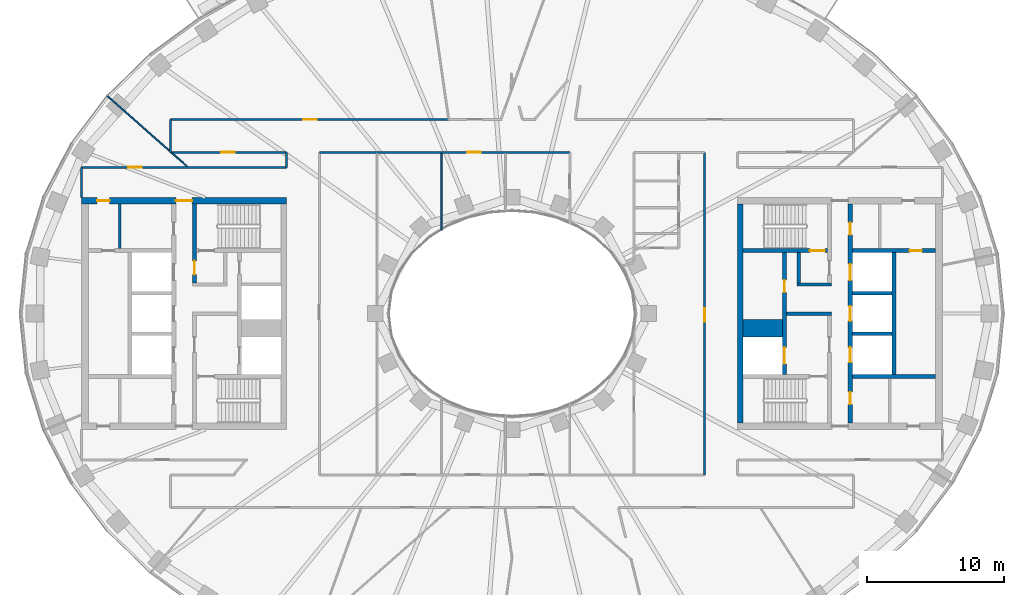
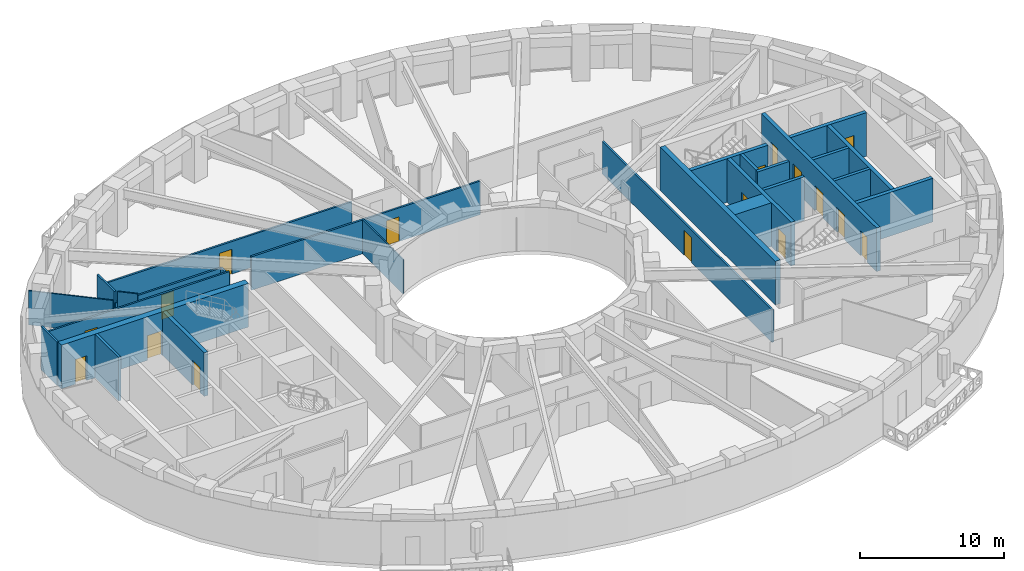
# One storey, part 5 of 15: 27 walls, 17 doors, 17 openings.
"""IFC4 building model written with IfcOpenShell, lengths in metres."""

from ifc_helpers import new_model, si_unit, direction, frame, frame_2d, origin, place, context, subcontext, project, spatial, rectangle, extrude, material, layer, layer_set, type_object, element, fill, save


model = new_model("IFC4")

# Units and contexts
model_context = context("Model", 3, precision=1e-05, world=origin(), true_north=direction((0.0, 1.0)))
body_context = subcontext(model_context, "Body", "Model", "MODEL_VIEW")
ifc_project = project(units=[si_unit("LENGTHUNIT", "METRE"), si_unit("AREAUNIT", "SQUARE_METRE"), si_unit("VOLUMEUNIT", "CUBIC_METRE"), si_unit("PLANEANGLEUNIT", "RADIAN"), si_unit("MASSUNIT", "GRAM", prefix="KILO")], contexts=[model_context])

# Site, building, storey
site_placement = place(None, origin())
site = spatial("IfcSite", under=ifc_project, at=site_placement, CompositionType="ELEMENT")
building_placement = place(site_placement, origin())
building = spatial("IfcBuilding", under=site, at=building_placement, Name="Noorbagh Ring Tower", CompositionType="ELEMENT")
storey_placement = place(building_placement, frame((0.0, 0.0, 128.0)))
storey = spatial("IfcBuildingStorey", under=building, at=storey_placement, Name="L29", CompositionType="ELEMENT", Elevation=128.0)

# Walls
ifc_material_1 = material(Name="Gypsum board on steel studs", Category="steel")
ifc_layer_1 = layer(ifc_material_1, 0.199951171875)
ifc_layer_set_1 = layer_set([ifc_layer_1], Name="Gypsum board on steel studs")
wall_type_1 = type_object("IfcWallType", Name="CORE-PARTITION-200", PredefinedType="PARTITIONING", material=ifc_layer_set_1)
wall_1_placement = place(storey_placement, frame((-28.699951171875, 4.75, 0.0), z_axis=(0.0, 0.0, 1.0), x_axis=(0.0, 1.0, 0.0)))
element("IfcWall", 1, at=wall_1_placement, inside=storey, type_object=wall_type_1, Name="Core partition W", PredefinedType="PARTITIONING", context=body_context, shape_type="SweptSolid", body=[
    extrude(rectangle(XDim=3.25, YDim=0.199951171875, at=frame_2d((1.625, 0.0))), origin(), (0.0, 0.0, 1.0), 3.699951171875),
])
ifc_material_2 = material(Name="Concrete C70/85", Category="concrete")
ifc_layer_2 = layer(ifc_material_2, 1.25)
ifc_layer_set_2 = layer_set([ifc_layer_2], Name="Concrete C70/85")
wall_type_2 = type_object("IfcWallType", Name="CORE-WALL-1250-C70-85-EI120", PredefinedType="SHEAR", material=ifc_layer_set_2)
wall_2_placement = place(storey_placement, frame((16.89990234375, -1.074951171875, 0.0), z_axis=(0.0, 0.0, 1.0), x_axis=(1.0, 0.0, 0.0)))
element("IfcWall", 2, at=wall_2_placement, inside=storey, type_object=wall_type_2, Name="Core wall E", PredefinedType="SHEAR", context=body_context, shape_type="SweptSolid", body=[
    extrude(rectangle(XDim=2.900146484375, YDim=1.25, at=frame_2d((1.4501953125, 0.0))), origin(), (0.0, 0.0, 1.0), 3.699951171875),
])
ifc_material_3 = material(Name="Concrete C70/85", Category="concrete")
ifc_layer_3 = layer(ifc_material_3, 0.25)
ifc_layer_set_3 = layer_set([ifc_layer_3], Name="Concrete C70/85")
wall_type_3 = type_object("IfcWallType", Name="CORE-WALL-250-C70-85-EI120", PredefinedType="SHEAR", material=ifc_layer_set_3)
for number, where, z_axis, x_axis, name in (
    (3, (24.89990234375, -1.47509765625, 0.0), (0.0, 0.0, 1.0), (1.0, 0.0, 0.0), "Core wall E"),
    (4, (24.89990234375, 1.47509765625, 0.0), (0.0, 0.0, 1.0), (1.0, 0.0, 0.0), "Core wall E"),
):
    element("IfcWall", number, at=place(storey_placement, frame(where, z_axis=z_axis, x_axis=x_axis)), inside=storey, type_object=wall_type_3, Name=name, PredefinedType="SHEAR", context=body_context, shape_type="SweptSolid", body=[
        extrude(rectangle(XDim=2.900146484375, YDim=0.25, at=frame_2d((1.4501953125, 0.0))), origin(), (0.0, 0.0, 1.0), 3.699951171875),
    ])
ifc_material_4 = material(Name="Concrete C70/85", Category="concrete")
ifc_layer_4 = layer(ifc_material_4, 0.25)
ifc_layer_set_4 = layer_set([ifc_layer_4], Name="Concrete C70/85")
wall_type_4 = type_object("IfcWallType", Name="CORE-WALL-250-C70-85-EI240", PredefinedType="SHEAR", material=ifc_layer_set_4)
wall_3_placement = place(storey_placement, frame((20.10009765625, 0.0, 0.0), z_axis=(0.0, 0.0, 1.0), x_axis=(1.0, 0.0, 0.0)))
element("IfcWall", 5, at=wall_3_placement, inside=storey, type_object=wall_type_4, Name="Core wall E", PredefinedType="SHEAR", context=body_context, shape_type="SweptSolid", body=[
    extrude(rectangle(XDim=3.27978515625, YDim=0.25, at=frame_2d((1.639892578125, 0.0))), origin(), (0.0, 0.0, 1.0), 3.699951171875),
])
wall_4_placement = place(storey_placement, frame((20.85009765625, 2.125, 0.0), z_axis=(0.0, 0.0, 1.0), x_axis=(1.0, 0.0, 0.0)))
element("IfcWall", 6, at=wall_4_placement, inside=storey, type_object=wall_type_4, Name="Core wall E", PredefinedType="SHEAR", context=body_context, shape_type="SweptSolid", body=[
    extrude(rectangle(XDim=2.52978515625, YDim=0.25, at=frame_2d((1.264892578125, 0.0))), origin(), (0.0, 0.0, 1.0), 3.699951171875),
])
wall_5_placement = place(storey_placement, frame((20.97509765625, 2.25, 0.0), z_axis=(0.0, 0.0, 1.0), x_axis=(0.0, 1.0, 0.0)))
element("IfcWall", 7, at=wall_5_placement, inside=storey, type_object=wall_type_4, Name="Core wall E", PredefinedType="SHEAR", context=body_context, shape_type="SweptSolid", body=[
    extrude(rectangle(XDim=2.199951171875, YDim=0.25, at=frame_2d((1.10009765625, 0.0))), origin(), (0.0, 0.0, 1.0), 3.699951171875),
])
ifc_material_5 = material(Name="Concrete C70/85", Category="concrete")
ifc_layer_5 = layer(ifc_material_5, 0.300048828125)
ifc_layer_set_5 = layer_set([ifc_layer_5], Name="Concrete C70/85")
wall_type_5 = type_object("IfcWallType", Name="CORE-WALL-300-C70-85-EI120", PredefinedType="SHEAR", material=ifc_layer_set_5)
wall_6_placement = place(storey_placement, frame((27.949951171875, -4.449951171875, 0.0), z_axis=(0.0, 0.0, 1.0), x_axis=(0.0, 1.0, 0.0)))
element("IfcWall", 8, at=wall_6_placement, inside=storey, type_object=wall_type_5, Name="Core wall E", PredefinedType="SHEAR", context=body_context, shape_type="SweptSolid", body=[
    extrude(rectangle(XDim=8.89990234375, YDim=0.300048828125, at=frame_2d((4.449951171875, 0.0))), origin(), (0.0, 0.0, 1.0), 3.699951171875),
])

# Wall, openings, doors
wall_7_placement = place(storey_placement, frame((19.949951171875, -4.449951171875, 0.0), z_axis=(0.0, 0.0, 1.0), x_axis=(0.0, 1.0, 0.0)))
wall_7 = element("IfcWall", 9, at=wall_7_placement, inside=storey, type_object=wall_type_5, Name="Core wall E", PredefinedType="SHEAR", context=body_context, shape_type="SweptSolid", body=[
    extrude(rectangle(XDim=8.89990234375, YDim=0.300048828125, at=frame_2d((4.449951171875, 0.0))), origin(), (0.0, 0.0, 1.0), 3.699951171875),
])
opening_1_placement = place(wall_7_placement, frame((0.77490234375, 0.0, 0.0)))
opening_1 = element("IfcOpeningElement", 10, at=opening_1_placement, cuts=wall_7, Name="Opening L29-CE01", PredefinedType="OPENING", context=body_context, shape_type="SweptSolid", body=[
    extrude(rectangle(XDim=1.199951171875, YDim=2.10009765625, at=frame_2d((0.60009765625, 1.050048828125))), frame((0.0, 0.16015625, 0.0), z_axis=(0.0, -1.0, 0.0), x_axis=(1.0, 0.0, 0.0)), (0.0, 0.0, 1.0), 0.320068359375),
])
opening_2_placement = place(wall_7_placement, frame((6.0, 0.0, 0.0)))
opening_2 = element("IfcOpeningElement", 11, at=opening_2_placement, cuts=wall_7, Name="Opening L29-CE11", PredefinedType="OPENING", context=body_context, shape_type="SweptSolid", body=[
    extrude(rectangle(XDim=0.89990234375, YDim=2.10009765625, at=frame_2d((0.449951171875, 1.050048828125))), frame((0.0, 0.16015625, 0.0), z_axis=(0.0, -1.0, 0.0), x_axis=(1.0, 0.0, 0.0)), (0.0, 0.0, 1.0), 0.320068359375),
])
ifc_material_6 = material(Name="Steel door leaf", Category="steel")
door_type_1 = type_object("IfcDoorType", Name="CORE-DOOR-DROOM", OperationType="SINGLE_SWING_LEFT", PredefinedType="DOOR", material=ifc_material_6)
door_1_placement = place(opening_2_placement, origin())
door_1 = element("IfcDoor", 12, at=door_1_placement, inside=storey, type_object=door_type_1, Name="Core room door L29-CE11", OperationType="SINGLE_SWING_RIGHT", OverallHeight=2.10009765625, OverallWidth=0.89990234375, PredefinedType="DOOR", context=body_context, shape_type="SweptSolid", body=[
    extrude(rectangle(XDim=0.89990234375, YDim=2.10009765625, at=frame_2d((0.449951171875, 1.050048828125))), frame((0.0, 0.02490234375, 0.0), z_axis=(0.0, -1.0, 0.0), x_axis=(1.0, 0.0, 0.0)), (0.0, 0.0, 1.0), 0.050048828125),
])
fill(opening_2, door_1)
ifc_material_7 = material(Name="Steel door leaf", Category="steel")
door_type_2 = type_object("IfcDoorType", Name="CORE-DOOR-LDW", OperationType="DOUBLE_DOOR_SLIDING", PredefinedType="DOOR", material=ifc_material_7)
door_2_placement = place(opening_1_placement, origin())
door_2 = element("IfcDoor", 13, at=door_2_placement, inside=storey, type_object=door_type_2, Name="Landing door FF2 L29-CE01", OperationType="DOUBLE_DOOR_SLIDING", OverallHeight=2.10009765625, OverallWidth=1.199951171875, PredefinedType="DOOR", context=body_context, shape_type="SweptSolid", body=[
    extrude(rectangle(XDim=1.199951171875, YDim=2.10009765625, at=frame_2d((0.60009765625, 1.050048828125))), frame((0.0, 0.02490234375, 0.0), z_axis=(0.0, -1.0, 0.0), x_axis=(1.0, 0.0, 0.0)), (0.0, 0.0, 1.0), 0.050048828125),
])
fill(opening_1, door_2)

wall_8_placement = place(storey_placement, frame((24.75, -8.0, 0.0), z_axis=(0.0, 0.0, 1.0), x_axis=(0.0, 1.0, 0.0)))
wall_8 = element("IfcWall", 14, at=wall_8_placement, inside=storey, type_object=wall_type_5, Name="Core wall E", PredefinedType="SHEAR", context=body_context, shape_type="SweptSolid", body=[
    extrude(rectangle(XDim=16.0, YDim=0.300048828125, at=frame_2d((8.0, 0.0))), origin(), (0.0, 0.0, 1.0), 3.699951171875),
])
opening_3_placement = place(wall_8_placement, frame((4.425048828125, 0.0, 0.0)))
opening_3 = element("IfcOpeningElement", 15, at=opening_3_placement, cuts=wall_8, Name="Opening L29-CE02", PredefinedType="OPENING", context=body_context, shape_type="SweptSolid", body=[
    extrude(rectangle(XDim=1.10009765625, YDim=2.10009765625, at=frame_2d((0.550048828125, 1.050048828125))), frame((0.0, 0.16015625, 0.0), z_axis=(0.0, -1.0, 0.0), x_axis=(1.0, 0.0, 0.0)), (0.0, 0.0, 1.0), 0.320068359375),
])
opening_4_placement = place(wall_8_placement, frame((7.449951171875, 0.0, 0.0)))
opening_4 = element("IfcOpeningElement", 16, at=opening_4_placement, cuts=wall_8, Name="Opening L29-CE03", PredefinedType="OPENING", context=body_context, shape_type="SweptSolid", body=[
    extrude(rectangle(XDim=1.10009765625, YDim=2.10009765625, at=frame_2d((0.550048828125, 1.050048828125))), frame((0.0, 0.16015625, 0.0), z_axis=(0.0, -1.0, 0.0), x_axis=(1.0, 0.0, 0.0)), (0.0, 0.0, 1.0), 0.320068359375),
])
opening_5_placement = place(wall_8_placement, frame((10.425048828125, 0.0, 0.0)))
opening_5 = element("IfcOpeningElement", 17, at=opening_5_placement, cuts=wall_8, Name="Opening L29-CE04", PredefinedType="OPENING", context=body_context, shape_type="SweptSolid", body=[
    extrude(rectangle(XDim=1.199951171875, YDim=2.10009765625, at=frame_2d((0.60009765625, 1.050048828125))), frame((0.0, 0.16015625, 0.0), z_axis=(0.0, -1.0, 0.0), x_axis=(1.0, 0.0, 0.0)), (0.0, 0.0, 1.0), 0.320068359375),
])
opening_6_placement = place(wall_8_placement, frame((13.75, 0.0, 0.0)))
opening_6 = element("IfcOpeningElement", 18, at=opening_6_placement, cuts=wall_8, Name="Opening L29-CE12", PredefinedType="OPENING", context=body_context, shape_type="SweptSolid", body=[
    extrude(rectangle(XDim=0.89990234375, YDim=2.10009765625, at=frame_2d((0.449951171875, 1.050048828125))), frame((0.0, 0.16015625, 0.0), z_axis=(0.0, -1.0, 0.0), x_axis=(1.0, 0.0, 0.0)), (0.0, 0.0, 1.0), 0.320068359375),
])
opening_7_placement = place(wall_8_placement, frame((1.35009765625, 0.0, 0.0)))
opening_7 = element("IfcOpeningElement", 19, at=opening_7_placement, cuts=wall_8, Name="Opening L29-CE14", PredefinedType="OPENING", context=body_context, shape_type="SweptSolid", body=[
    extrude(rectangle(XDim=0.89990234375, YDim=2.10009765625, at=frame_2d((0.449951171875, 1.050048828125))), frame((0.0, 0.16015625, 0.0), z_axis=(0.0, -1.0, 0.0), x_axis=(1.0, 0.0, 0.0)), (0.0, 0.0, 1.0), 0.320068359375),
])
door_3_placement = place(opening_6_placement, origin())
door_3 = element("IfcDoor", 20, at=door_3_placement, inside=storey, type_object=door_type_1, Name="Core room door L29-CE12", OperationType="SINGLE_SWING_LEFT", OverallHeight=2.10009765625, OverallWidth=0.89990234375, PredefinedType="DOOR", context=body_context, shape_type="SweptSolid", body=[
    extrude(rectangle(XDim=0.89990234375, YDim=2.10009765625, at=frame_2d((0.449951171875, 1.050048828125))), frame((0.0, 0.02490234375, 0.0), z_axis=(0.0, -1.0, 0.0), x_axis=(1.0, 0.0, 0.0)), (0.0, 0.0, 1.0), 0.050048828125),
])
fill(opening_6, door_3)
door_4_placement = place(opening_7_placement, origin())
door_4 = element("IfcDoor", 21, at=door_4_placement, inside=storey, type_object=door_type_1, Name="Core room door L29-CE14", OperationType="SINGLE_SWING_RIGHT", OverallHeight=2.10009765625, OverallWidth=0.89990234375, PredefinedType="DOOR", context=body_context, shape_type="SweptSolid", body=[
    extrude(rectangle(XDim=0.89990234375, YDim=2.10009765625, at=frame_2d((0.449951171875, 1.050048828125))), frame((0.0, 0.02490234375, 0.0), z_axis=(0.0, -1.0, 0.0), x_axis=(1.0, 0.0, 0.0)), (0.0, 0.0, 1.0), 0.050048828125),
])
fill(opening_7, door_4)
ifc_material_8 = material(Name="Steel door leaf", Category="steel")
door_type_3 = type_object("IfcDoorType", Name="CORE-DOOR-LD", OperationType="DOUBLE_DOOR_SLIDING", PredefinedType="DOOR", material=ifc_material_8)
door_5_placement = place(opening_3_placement, origin())
door_5 = element("IfcDoor", 22, at=door_5_placement, inside=storey, type_object=door_type_3, Name="Landing door LR3 L29-CE02", OperationType="DOUBLE_DOOR_SLIDING", OverallHeight=2.10009765625, OverallWidth=1.10009765625, PredefinedType="DOOR", context=body_context, shape_type="SweptSolid", body=[
    extrude(rectangle(XDim=1.10009765625, YDim=2.10009765625, at=frame_2d((0.550048828125, 1.050048828125))), frame((0.0, 0.02490234375, 0.0), z_axis=(0.0, -1.0, 0.0), x_axis=(1.0, 0.0, 0.0)), (0.0, 0.0, 1.0), 0.050048828125),
])
fill(opening_3, door_5)
door_6_placement = place(opening_4_placement, origin())
door_6 = element("IfcDoor", 23, at=door_6_placement, inside=storey, type_object=door_type_3, Name="Landing door LR4 L29-CE03", OperationType="DOUBLE_DOOR_SLIDING", OverallHeight=2.10009765625, OverallWidth=1.10009765625, PredefinedType="DOOR", context=body_context, shape_type="SweptSolid", body=[
    extrude(rectangle(XDim=1.10009765625, YDim=2.10009765625, at=frame_2d((0.550048828125, 1.050048828125))), frame((0.0, 0.02490234375, 0.0), z_axis=(0.0, -1.0, 0.0), x_axis=(1.0, 0.0, 0.0)), (0.0, 0.0, 1.0), 0.050048828125),
])
fill(opening_4, door_6)
door_7_placement = place(opening_5_placement, origin())
door_7 = element("IfcDoor", 24, at=door_7_placement, inside=storey, type_object=door_type_2, Name="Landing door SV2 L29-CE04", OperationType="DOUBLE_DOOR_SLIDING", OverallHeight=2.10009765625, OverallWidth=1.199951171875, PredefinedType="DOOR", context=body_context, shape_type="SweptSolid", body=[
    extrude(rectangle(XDim=1.199951171875, YDim=2.10009765625, at=frame_2d((0.60009765625, 1.050048828125))), frame((0.0, 0.02490234375, 0.0), z_axis=(0.0, -1.0, 0.0), x_axis=(1.0, 0.0, 0.0)), (0.0, 0.0, 1.0), 0.050048828125),
])
fill(opening_5, door_7)

# Wall, opening, door
ifc_material_9 = material(Name="Concrete C70/85", Category="concrete")
ifc_layer_6 = layer(ifc_material_9, 0.300048828125)
ifc_layer_set_6 = layer_set([ifc_layer_6], Name="Concrete C70/85")
wall_type_6 = type_object("IfcWallType", Name="CORE-WALL-300-C70-85-EI240", PredefinedType="SHEAR", material=ifc_layer_set_6)
wall_9_placement = place(storey_placement, frame((-23.22998046875, 2.25, 0.0), z_axis=(0.0, 0.0, 1.0), x_axis=(0.0, 1.0, 0.0)))
wall_9 = element("IfcWall", 25, at=wall_9_placement, inside=storey, type_object=wall_type_6, Name="Core wall W", PredefinedType="SHEAR", context=body_context, shape_type="SweptSolid", body=[
    extrude(rectangle(XDim=5.75, YDim=0.300048828125, at=frame_2d((2.875, 0.0))), origin(), (0.0, 0.0, 1.0), 3.699951171875),
])
opening_8_placement = place(wall_9_placement, frame((0.60009765625, 0.0, 0.0)))
opening_8 = element("IfcOpeningElement", 26, at=opening_8_placement, cuts=wall_9, Name="Opening L29-CW08", PredefinedType="OPENING", context=body_context, shape_type="SweptSolid", body=[
    extrude(rectangle(XDim=1.0, YDim=2.10009765625, at=frame_2d((0.5, 1.050048828125))), frame((0.0, 0.16015625, 0.0), z_axis=(0.0, -1.0, 0.0), x_axis=(1.0, 0.0, 0.0)), (0.0, 0.0, 1.0), 0.320068359375),
])
ifc_material_10 = material(Name="Steel door leaf", Category="steel")
door_type_4 = type_object("IfcDoorType", Name="CORE-DOOR-DVEST", OperationType="SINGLE_SWING_LEFT", PredefinedType="DOOR", material=ifc_material_10)
door_8_placement = place(opening_8_placement, origin())
door_8 = element("IfcDoor", 27, at=door_8_placement, inside=storey, type_object=door_type_4, Name="Stair vestibule door L29-CW08", OperationType="SINGLE_SWING_LEFT", OverallHeight=2.10009765625, OverallWidth=1.0, PredefinedType="DOOR", context=body_context, shape_type="SweptSolid", body=[
    extrude(rectangle(XDim=1.0, YDim=2.10009765625, at=frame_2d((0.5, 1.050048828125))), frame((0.0, 0.02490234375, 0.0), z_axis=(0.0, -1.0, 0.0), x_axis=(1.0, 0.0, 0.0)), (0.0, 0.0, 1.0), 0.050048828125),
])
fill(opening_8, door_8)

wall_10_placement = place(storey_placement, frame((24.89990234375, 4.60009765625, 0.0), z_axis=(0.0, 0.0, 1.0), x_axis=(1.0, 0.0, 0.0)))
wall_10 = element("IfcWall", 28, at=wall_10_placement, inside=storey, type_object=wall_type_6, Name="Core wall E", PredefinedType="SHEAR", context=body_context, shape_type="SweptSolid", body=[
    extrude(rectangle(XDim=6.10009765625, YDim=0.300048828125, at=frame_2d((3.050048828125, 0.0))), origin(), (0.0, 0.0, 1.0), 3.699951171875),
])
opening_9_placement = place(wall_10_placement, frame((4.199951171875, 0.0, 0.0)))
opening_9 = element("IfcOpeningElement", 29, at=opening_9_placement, cuts=wall_10, Name="Opening L29-CE16", PredefinedType="OPENING", context=body_context, shape_type="SweptSolid", body=[
    extrude(rectangle(XDim=0.89990234375, YDim=2.10009765625, at=frame_2d((0.449951171875, 1.050048828125))), frame((0.0, 0.16015625, 0.0), z_axis=(0.0, -1.0, 0.0), x_axis=(1.0, 0.0, 0.0)), (0.0, 0.0, 1.0), 0.320068359375),
])
door_9_placement = place(opening_9_placement, origin())
door_9 = element("IfcDoor", 30, at=door_9_placement, inside=storey, type_object=door_type_1, Name="Core room door L29-CE16", OperationType="SINGLE_SWING_RIGHT", OverallHeight=2.10009765625, OverallWidth=0.89990234375, PredefinedType="DOOR", context=body_context, shape_type="SweptSolid", body=[
    extrude(rectangle(XDim=0.89990234375, YDim=2.10009765625, at=frame_2d((0.449951171875, 1.050048828125))), frame((0.0, 0.02490234375, 0.0), z_axis=(0.0, -1.0, 0.0), x_axis=(1.0, 0.0, 0.0)), (0.0, 0.0, 1.0), 0.050048828125),
])
fill(opening_9, door_9)

# Wall
wall_11_placement = place(storey_placement, frame((24.89990234375, -4.60009765625, 0.0), z_axis=(0.0, 0.0, 1.0), x_axis=(1.0, 0.0, 0.0)))
element("IfcWall", 31, at=wall_11_placement, inside=storey, type_object=wall_type_6, Name="Core wall E", PredefinedType="SHEAR", context=body_context, shape_type="SweptSolid", body=[
    extrude(rectangle(XDim=6.10009765625, YDim=0.300048828125, at=frame_2d((3.050048828125, 0.0))), origin(), (0.0, 0.0, 1.0), 3.699951171875),
])

# Wall, opening, door
wall_12_placement = place(storey_placement, frame((16.89990234375, 4.60009765625, 0.0), z_axis=(0.0, 0.0, 1.0), x_axis=(1.0, 0.0, 0.0)))
wall_12 = element("IfcWall", 32, at=wall_12_placement, inside=storey, type_object=wall_type_6, Name="Core wall E", PredefinedType="SHEAR", context=body_context, shape_type="SweptSolid", body=[
    extrude(rectangle(XDim=6.18017578125, YDim=0.300048828125, at=frame_2d((3.090087890625, 0.0))), origin(), (0.0, 0.0, 1.0), 3.699951171875),
])
opening_10_placement = place(wall_12_placement, frame((4.89990234375, 0.0, 0.0)))
opening_10 = element("IfcOpeningElement", 33, at=opening_10_placement, cuts=wall_12, Name="Opening L29-CE05", PredefinedType="OPENING", context=body_context, shape_type="SweptSolid", body=[
    extrude(rectangle(XDim=1.10009765625, YDim=2.10009765625, at=frame_2d((0.550048828125, 1.050048828125))), frame((0.0, 0.16015625, 0.0), z_axis=(0.0, -1.0, 0.0), x_axis=(1.0, 0.0, 0.0)), (0.0, 0.0, 1.0), 0.320068359375),
])
ifc_material_11 = material(Name="Steel door leaf", Category="steel")
door_type_5 = type_object("IfcDoorType", Name="CORE-DOOR-DSTAIR", OperationType="SINGLE_SWING_LEFT", PredefinedType="DOOR", material=ifc_material_11)
door_10_placement = place(opening_10_placement, origin())
door_10 = element("IfcDoor", 34, at=door_10_placement, inside=storey, type_object=door_type_5, Name="Stair door ST3 L29-CE05", OperationType="SINGLE_SWING_LEFT", OverallHeight=2.10009765625, OverallWidth=1.10009765625, PredefinedType="DOOR", context=body_context, shape_type="SweptSolid", body=[
    extrude(rectangle(XDim=1.10009765625, YDim=2.10009765625, at=frame_2d((0.550048828125, 1.050048828125))), frame((0.0, 0.02490234375, 0.0), z_axis=(0.0, -1.0, 0.0), x_axis=(1.0, 0.0, 0.0)), (0.0, 0.0, 1.0), 0.050048828125),
])
fill(opening_10, door_10)

# Wall
ifc_material_12 = material(Name="Concrete C70/85", Category="concrete")
ifc_layer_7 = layer(ifc_material_12, 0.39990234375)
ifc_layer_set_7 = layer_set([ifc_layer_7], Name="Concrete C70/85")
wall_type_7 = type_object("IfcWallType", Name="CORE-WALL-400-C70-85-EI240", PredefinedType="SHEAR", material=ifc_layer_set_7)
wall_13_placement = place(storey_placement, frame((16.699951171875, -8.0, 0.0), z_axis=(0.0, 0.0, 1.0), x_axis=(0.0, 1.0, 0.0)))
element("IfcWall", 35, at=wall_13_placement, inside=storey, type_object=wall_type_7, Name="Core wall E", PredefinedType="SHEAR", context=body_context, shape_type="SweptSolid", body=[
    extrude(rectangle(XDim=16.0, YDim=0.39990234375, at=frame_2d((8.0, 0.0))), origin(), (0.0, 0.0, 1.0), 3.699951171875),
])

# Wall, openings, doors
ifc_material_13 = material(Name="Concrete C70/85", Category="concrete")
ifc_layer_8 = layer(ifc_material_13, 0.5)
ifc_layer_set_8 = layer_set([ifc_layer_8], Name="Concrete C70/85")
wall_type_8 = type_object("IfcWallType", Name="CORE-WALL-500-C70-85-EI240", PredefinedType="SHEAR", material=ifc_layer_set_8)
wall_14_placement = place(storey_placement, frame((-16.5, 8.25, 0.0), z_axis=(0.0, 0.0, 1.0), x_axis=(-1.0, 0.0, 0.0)))
wall_14 = element("IfcWall", 36, at=wall_14_placement, inside=storey, type_object=wall_type_8, Name="Core wall W", PredefinedType="SHEAR", context=body_context, shape_type="SweptSolid", body=[
    extrude(rectangle(XDim=15.0, YDim=0.5, at=frame_2d((7.5, 0.0))), origin(), (0.0, 0.0, 1.0), 3.699951171875),
])
opening_11_placement = place(wall_14_placement, frame((6.89990234375, 0.0, 0.0)))
opening_11 = element("IfcOpeningElement", 37, at=opening_11_placement, cuts=wall_14, Name="Opening L29-CW09", PredefinedType="OPENING", context=body_context, shape_type="SweptSolid", body=[
    extrude(rectangle(XDim=1.199951171875, YDim=2.10009765625, at=frame_2d((0.60009765625, 1.050048828125))), frame((0.0, 0.260009765625, 0.0), z_axis=(0.0, -1.0, 0.0), x_axis=(1.0, 0.0, 0.0)), (0.0, 0.0, 1.0), 0.52001953125),
])
opening_12_placement = place(wall_14_placement, frame((12.949951171875, 0.0, 0.0)))
opening_12 = element("IfcOpeningElement", 38, at=opening_12_placement, cuts=wall_14, Name="Opening L29-CW13", PredefinedType="OPENING", context=body_context, shape_type="SweptSolid", body=[
    extrude(rectangle(XDim=0.89990234375, YDim=2.10009765625, at=frame_2d((0.449951171875, 1.050048828125))), frame((0.0, 0.260009765625, 0.0), z_axis=(0.0, -1.0, 0.0), x_axis=(1.0, 0.0, 0.0)), (0.0, 0.0, 1.0), 0.52001953125),
])
door_11_placement = place(opening_12_placement, origin())
door_11 = element("IfcDoor", 39, at=door_11_placement, inside=storey, type_object=door_type_1, Name="Core room door L29-CW13", OperationType="SINGLE_SWING_RIGHT", OverallHeight=2.10009765625, OverallWidth=0.89990234375, PredefinedType="DOOR", context=body_context, shape_type="SweptSolid", body=[
    extrude(rectangle(XDim=0.89990234375, YDim=2.10009765625, at=frame_2d((0.449951171875, 1.050048828125))), frame((0.0, 0.02490234375, 0.0), z_axis=(0.0, -1.0, 0.0), x_axis=(1.0, 0.0, 0.0)), (0.0, 0.0, 1.0), 0.050048828125),
])
fill(opening_12, door_11)
ifc_material_14 = material(Name="Steel door leaf", Category="steel")
door_type_6 = type_object("IfcDoorType", Name="CORE-DOOR-PORT", OperationType="DOUBLE_DOOR_DOUBLE_SWING", PredefinedType="DOOR", material=ifc_material_14)
door_12_placement = place(opening_11_placement, origin())
door_12 = element("IfcDoor", 40, at=door_12_placement, inside=storey, type_object=door_type_6, Name="Core entrance door L29-CW09", OperationType="DOUBLE_DOOR_DOUBLE_SWING", OverallHeight=2.10009765625, OverallWidth=1.199951171875, PredefinedType="DOOR", context=body_context, shape_type="SweptSolid", body=[
    extrude(rectangle(XDim=1.199951171875, YDim=2.10009765625, at=frame_2d((0.60009765625, 1.050048828125))), frame((0.0, 0.02490234375, 0.0), z_axis=(0.0, -1.0, 0.0), x_axis=(1.0, 0.0, 0.0)), (0.0, 0.0, 1.0), 0.050048828125),
])
fill(opening_11, door_12)

# Wall
ifc_material_15 = material(Name="Gypsum board on steel studs", Category="steel")
ifc_layer_9 = layer(ifc_material_15, 0.14990234375)
ifc_layer_set_9 = layer_set([ifc_layer_9], Name="Gypsum board on steel studs")
wall_type_9 = type_object("IfcWallType", Name="CORRIDOR PARTITION 150 EI 30", PredefinedType="PARTITIONING", material=ifc_layer_set_9)
wall_15_placement = place(storey_placement, frame((-31.5, 8.5, 0.0), z_axis=(0.0, 0.0, 1.0), x_axis=(0.0, 1.0, 0.0)))
element("IfcWall", 41, at=wall_15_placement, inside=storey, type_object=wall_type_9, Name="L29/wall/P04", PredefinedType="PARTITIONING", context=body_context, shape_type="SweptSolid", body=[
    extrude(rectangle(XDim=2.199951171875, YDim=0.14990234375, at=frame_2d((1.10009765625, 0.0))), origin(), (0.0, 0.0, 1.0), 3.699951171875),
])

# Wall, opening, door
wall_16_placement = place(storey_placement, frame((-31.5, 10.699951171875, 0.0), z_axis=(0.0, 0.0, 1.0), x_axis=(1.0, 0.0, 0.0)))
wall_16 = element("IfcWall", 42, at=wall_16_placement, inside=storey, type_object=wall_type_9, Name="L29/wall/P05", PredefinedType="PARTITIONING", context=body_context, shape_type="SweptSolid", body=[
    extrude(rectangle(XDim=15.0, YDim=0.14990234375, at=frame_2d((7.5, 0.0))), origin(), (0.0, 0.0, 1.0), 3.10009765625),
])
opening_13_placement = place(wall_16_placement, frame((3.403076171875, 0.0, 0.0)))
opening_13 = element("IfcOpeningElement", 43, at=opening_13_placement, cuts=wall_16, Name="Opening D1", PredefinedType="OPENING", context=body_context, shape_type="SweptSolid", body=[
    extrude(rectangle(XDim=1.0, YDim=2.10009765625, at=frame_2d((0.5, 1.050048828125))), frame((0.0, 0.0849609375, 0.0), z_axis=(0.0, -1.0, 0.0), x_axis=(1.0, 0.0, 0.0)), (0.0, 0.0, 1.0), 0.169921875),
])
ifc_material_16 = material(Name="Timber, painted", Category="wood")
door_type_7 = type_object("IfcDoorType", Name="DOOR 1000 X 2100 FD30", OperationType="SINGLE_SWING_LEFT", PredefinedType="DOOR", material=ifc_material_16)
door_13_placement = place(opening_13_placement, origin())
door_13 = element("IfcDoor", 44, at=door_13_placement, inside=storey, type_object=door_type_7, Name="L29-D06", OperationType="SINGLE_SWING_RIGHT", OverallHeight=2.10009765625, OverallWidth=1.0, PredefinedType="DOOR", context=body_context, shape_type="SweptSolid", body=[
    extrude(rectangle(XDim=1.0, YDim=2.10009765625, at=frame_2d((0.5, 1.050048828125))), frame((0.0, 0.02490234375, 0.0), z_axis=(0.0, -1.0, 0.0), x_axis=(1.0, 0.0, 0.0)), (0.0, 0.0, 1.0), 0.050048828125),
])
fill(opening_13, door_13)

# Wall
wall_17_placement = place(storey_placement, frame((-25.0, 11.800048828125, 0.0), z_axis=(0.0, 0.0, 1.0), x_axis=(0.0, 1.0, 0.0)))
element("IfcWall", 45, at=wall_17_placement, inside=storey, type_object=wall_type_9, Name="L29/wall/P11", PredefinedType="PARTITIONING", context=body_context, shape_type="SweptSolid", body=[
    extrude(rectangle(XDim=2.39990234375, YDim=0.14990234375, at=frame_2d((1.199951171875, 0.0))), origin(), (0.0, 0.0, 1.0), 3.699951171875),
])

# Wall, opening, door
wall_18_placement = place(storey_placement, frame((-25.0, 11.800048828125, 0.0), z_axis=(0.0, 0.0, 1.0), x_axis=(1.0, 0.0, 0.0)))
wall_18 = element("IfcWall", 46, at=wall_18_placement, inside=storey, type_object=wall_type_9, Name="L29/wall/P12", PredefinedType="PARTITIONING", context=body_context, shape_type="SweptSolid", body=[
    extrude(rectangle(XDim=8.5, YDim=0.14990234375, at=frame_2d((4.25, 0.0))), origin(), (0.0, 0.0, 1.0), 2.75),
])
opening_14_placement = place(wall_18_placement, frame((3.7099609375, 0.0, 0.0)))
opening_14 = element("IfcOpeningElement", 47, at=opening_14_placement, cuts=wall_18, Name="Opening D1", PredefinedType="OPENING", context=body_context, shape_type="SweptSolid", body=[
    extrude(rectangle(XDim=1.0, YDim=2.10009765625, at=frame_2d((0.5, 1.050048828125))), frame((0.0, 0.0849609375, 0.0), z_axis=(0.0, -1.0, 0.0), x_axis=(1.0, 0.0, 0.0)), (0.0, 0.0, 1.0), 0.169921875),
])
door_14_placement = place(opening_14_placement, origin())
door_14 = element("IfcDoor", 48, at=door_14_placement, inside=storey, type_object=door_type_7, Name="L29-D10", OperationType="SINGLE_SWING_RIGHT", OverallHeight=2.10009765625, OverallWidth=1.0, PredefinedType="DOOR", context=body_context, shape_type="SweptSolid", body=[
    extrude(rectangle(XDim=1.0, YDim=2.10009765625, at=frame_2d((0.5, 1.050048828125))), frame((0.0, 0.02490234375, 0.0), z_axis=(0.0, -1.0, 0.0), x_axis=(1.0, 0.0, 0.0)), (0.0, 0.0, 1.0), 0.050048828125),
])
fill(opening_14, door_14)

wall_19_placement = place(storey_placement, frame((-25.0, 14.199951171875, 0.0), z_axis=(0.0, 0.0, 1.0), x_axis=(1.0, 0.0, 0.0)))
wall_19 = element("IfcWall", 49, at=wall_19_placement, inside=storey, type_object=wall_type_9, Name="L29/wall/P13", PredefinedType="PARTITIONING", context=body_context, shape_type="SweptSolid", body=[
    extrude(rectangle(XDim=20.347900390625, YDim=0.14990234375, at=frame_2d((10.173828125, 0.0))), origin(), (0.0, 0.0, 1.0), 2.75),
])
opening_15_placement = place(wall_19_placement, frame((9.718017578125, 0.0, 0.0)))
opening_15 = element("IfcOpeningElement", 50, at=opening_15_placement, cuts=wall_19, Name="Opening D1", PredefinedType="OPENING", context=body_context, shape_type="SweptSolid", body=[
    extrude(rectangle(XDim=1.0, YDim=2.10009765625, at=frame_2d((0.5, 1.050048828125))), frame((0.0, 0.0849609375, 0.0), z_axis=(0.0, -1.0, 0.0), x_axis=(1.0, 0.0, 0.0)), (0.0, 0.0, 1.0), 0.169921875),
])
door_15_placement = place(opening_15_placement, origin())
door_15 = element("IfcDoor", 51, at=door_15_placement, inside=storey, type_object=door_type_7, Name="L29-D08", OperationType="SINGLE_SWING_RIGHT", OverallHeight=2.10009765625, OverallWidth=1.0, PredefinedType="DOOR", context=body_context, shape_type="SweptSolid", body=[
    extrude(rectangle(XDim=1.0, YDim=2.10009765625, at=frame_2d((0.5, 1.050048828125))), frame((0.0, 0.02490234375, 0.0), z_axis=(0.0, -1.0, 0.0), x_axis=(1.0, 0.0, 0.0)), (0.0, 0.0, 1.0), 0.050048828125),
])
fill(opening_15, door_15)

# Wall
wall_20_placement = place(storey_placement, frame((-16.5, 10.699951171875, 0.0), z_axis=(0.0, 0.0, 1.0), x_axis=(0.0, 1.0, 0.0)))
element("IfcWall", 52, at=wall_20_placement, inside=storey, type_object=wall_type_9, Name="L29/wall/P16", PredefinedType="PARTITIONING", context=body_context, shape_type="SweptSolid", body=[
    extrude(rectangle(XDim=1.10009765625, YDim=0.14990234375, at=frame_2d((0.550048828125, 0.0))), origin(), (0.0, 0.0, 1.0), 2.75),
])

# Wall, opening, door
wall_21_placement = place(storey_placement, frame((-14.10009765625, 11.800048828125, 0.0), z_axis=(0.0, 0.0, 1.0), x_axis=(1.0, 0.0, 0.0)))
wall_21 = element("IfcWall", 53, at=wall_21_placement, inside=storey, type_object=wall_type_9, Name="L29/wall/P20", PredefinedType="PARTITIONING", context=body_context, shape_type="SweptSolid", body=[
    extrude(rectangle(XDim=18.330078125, YDim=0.14990234375, at=frame_2d((9.1650390625, 0.0))), origin(), (0.0, 0.0, 1.0), 2.85009765625),
])
opening_16_placement = place(wall_21_placement, frame((10.830078125, 0.0, 0.0)))
opening_16 = element("IfcOpeningElement", 54, at=opening_16_placement, cuts=wall_21, Name="Opening D1", PredefinedType="OPENING", context=body_context, shape_type="SweptSolid", body=[
    extrude(rectangle(XDim=1.0, YDim=2.10009765625, at=frame_2d((0.5, 1.050048828125))), frame((0.0, 0.0849609375, 0.0), z_axis=(0.0, -1.0, 0.0), x_axis=(1.0, 0.0, 0.0)), (0.0, 0.0, 1.0), 0.169921875),
])
door_16_placement = place(opening_16_placement, origin())
door_16 = element("IfcDoor", 55, at=door_16_placement, inside=storey, type_object=door_type_7, Name="L29-D24", OperationType="SINGLE_SWING_RIGHT", OverallHeight=2.10009765625, OverallWidth=1.0, PredefinedType="DOOR", context=body_context, shape_type="SweptSolid", body=[
    extrude(rectangle(XDim=1.0, YDim=2.10009765625, at=frame_2d((0.5, 1.050048828125))), frame((0.0, 0.02490234375, 0.0), z_axis=(0.0, -1.0, 0.0), x_axis=(1.0, 0.0, 0.0)), (0.0, 0.0, 1.0), 0.050048828125),
])
fill(opening_16, door_16)

wall_22_placement = place(storey_placement, frame((14.10009765625, -11.800048828125, 0.0), z_axis=(0.0, 0.0, 1.0), x_axis=(0.0, 1.0, 0.0)))
wall_22 = element("IfcWall", 56, at=wall_22_placement, inside=storey, type_object=wall_type_9, Name="L29/wall/P59", PredefinedType="PARTITIONING", context=body_context, shape_type="SweptSolid", body=[
    extrude(rectangle(XDim=23.60009765625, YDim=0.14990234375, at=frame_2d((11.800048828125, 0.0))), origin(), (0.0, 0.0, 1.0), 2.75),
])
opening_17_placement = place(wall_22_placement, frame((11.199951171875, 0.0, 0.0)))
opening_17 = element("IfcOpeningElement", 57, at=opening_17_placement, cuts=wall_22, Name="Opening D1", PredefinedType="OPENING", context=body_context, shape_type="SweptSolid", body=[
    extrude(rectangle(XDim=1.0, YDim=2.10009765625, at=frame_2d((0.5, 1.050048828125))), frame((0.0, 0.0849609375, 0.0), z_axis=(0.0, -1.0, 0.0), x_axis=(1.0, 0.0, 0.0)), (0.0, 0.0, 1.0), 0.169921875),
])
door_17_placement = place(opening_17_placement, origin())
door_17 = element("IfcDoor", 58, at=door_17_placement, inside=storey, type_object=door_type_7, Name="L29-D01", OperationType="SINGLE_SWING_LEFT", OverallHeight=2.10009765625, OverallWidth=1.0, PredefinedType="DOOR", context=body_context, shape_type="SweptSolid", body=[
    extrude(rectangle(XDim=1.0, YDim=2.10009765625, at=frame_2d((0.5, 1.050048828125))), frame((0.0, 0.02490234375, 0.0), z_axis=(0.0, -1.0, 0.0), x_axis=(1.0, 0.0, 0.0)), (0.0, 0.0, 1.0), 0.050048828125),
])
fill(opening_17, door_17)

# Walls
ifc_material_17 = material(Name="Gypsum board on steel studs", Category="steel")
ifc_layer_10 = layer(ifc_material_17, 0.10009765625)
ifc_layer_set_10 = layer_set([ifc_layer_10], Name="Gypsum board on steel studs")
wall_type_10 = type_object("IfcWallType", Name="PARTITION 100 GYPSUM", PredefinedType="PARTITIONING", material=ifc_layer_set_10)
wall_23_placement = place(storey_placement, frame((-29.569091796875, 15.89501953125, 0.0), z_axis=(0.0, 0.0, 1.0), x_axis=(0.748903310324, -0.662679282749, 0.0)))
element("IfcWall", 59, at=wall_23_placement, inside=storey, type_object=wall_type_10, Name="L29/wall/P06", PredefinedType="PARTITIONING", context=body_context, shape_type="SweptSolid", body=[
    extrude(rectangle(XDim=5.9970703125, YDim=0.10009765625, at=frame_2d((2.99853515625, 0.0))), origin(), (0.0, 0.0, 1.0), 2.89990234375),
])
wall_24_placement = place(storey_placement, frame((-24.85205078125, 11.721923828125, 0.0), z_axis=(0.0, 0.0, 1.0), x_axis=(0.749052165765, -0.662511021013, 0.0)))
element("IfcWall", 60, at=wall_24_placement, inside=storey, type_object=wall_type_10, Name="L29/wall/P14", PredefinedType="PARTITIONING", context=body_context, shape_type="SweptSolid", body=[
    extrude(rectangle(XDim=1.424560546875, YDim=0.10009765625, at=frame_2d((0.71240234375, 0.0))), origin(), (0.0, 0.0, 1.0), 3.699951171875),
])
wall_25_placement = place(storey_placement, frame((-5.169921875, 6.10498046875, 0.0), z_axis=(0.0, 0.0, 1.0), x_axis=(0.0, 1.0, 0.0)))
element("IfcWall", 61, at=wall_25_placement, inside=storey, type_object=wall_type_10, Name="L29/wall/P27", PredefinedType="PARTITIONING", context=body_context, shape_type="SweptSolid", body=[
    extrude(rectangle(XDim=5.6201171875, YDim=0.10009765625, at=frame_2d((2.81005859375, 0.0))), origin(), (0.0, 0.0, 1.0), 2.89990234375),
])

save(model, "model.ifc")
